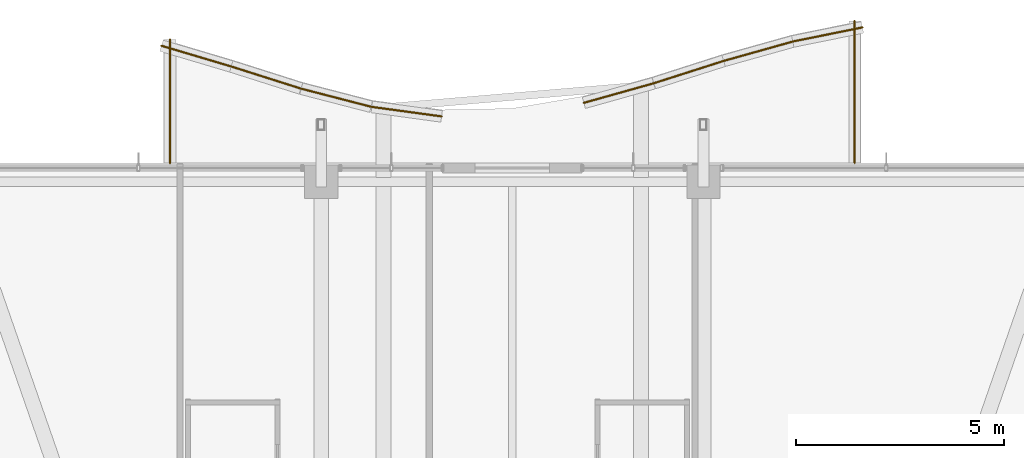
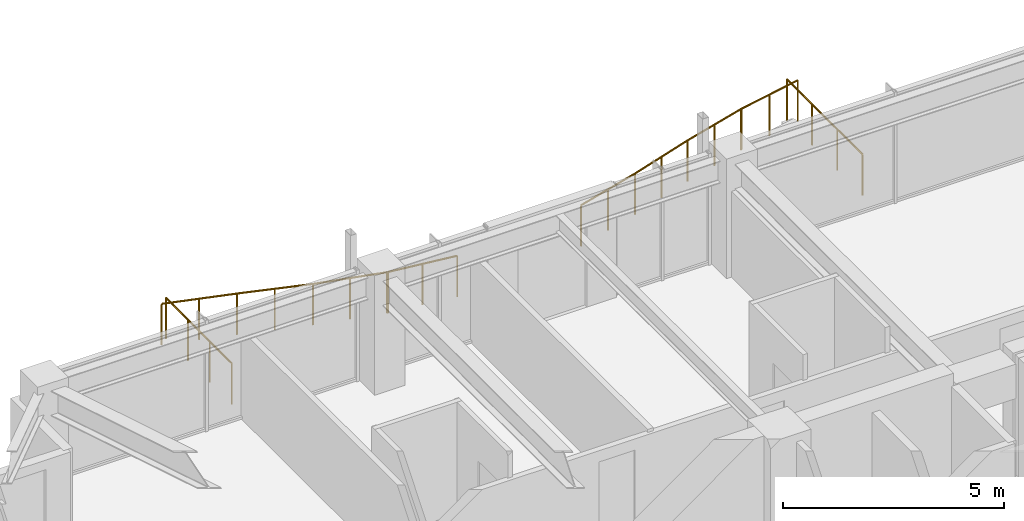
# One storey, part 38 of 38: 10 railings.
"""IFC4 building model written with IfcOpenShell, lengths in metres."""

import ifcopenshell
import ifcopenshell.guid

model = None  # the IFC model being written
_history = None  # IfcOwnerHistory: only IFC2X3 demands one
_inside = {}  # id of a spatial element -> (the spatial element, [elements in it])
_under = {}  # id of a project, library or spatial element -> (it, [spatial elements below it])
_declared = {}  # id of a project -> (the project, [libraries it declares])
_typed = {}  # id of a type object -> (the type object, [elements of that type])
_made_of = {}  # id of a material, layer set ... -> (it, [elements and type objects made of it])


def new_model(schema):
    """Start an empty IFC model of exactly this schema.

    Asked for "IFC4X3", IfcOpenShell would pick the latest addendum, in which some entities
    have other attributes; the version numbers below select the first issue.
    IFC2X3 requires an IfcOwnerHistory on every rooted entity: one is made here for all.
    """
    global model, _history
    if schema == "IFC4X3":
        model = ifcopenshell.file(schema_version=(4, 3, 0, 0))
    else:
        model = ifcopenshell.file(schema=schema)
    _inside.clear()
    _under.clear()
    _declared.clear()
    _typed.clear()
    _made_of.clear()
    _history = None
    if model.schema == "IFC2X3":
        org = make("IfcOrganization", Name="unknown")
        user = make(
            "IfcPersonAndOrganization",
            ThePerson=make("IfcPerson", FamilyName="unknown"),
            TheOrganization=org,
        )
        app = make(
            "IfcApplication",
            ApplicationDeveloper=org,
            Version="unknown",
            ApplicationFullName="unknown",
            ApplicationIdentifier="unknown",
        )
        _history = make(
            "IfcOwnerHistory",
            OwningUser=user,
            OwningApplication=app,
            ChangeAction="ADDED",
            CreationDate=0,
        )
    return model


def make(cls, **values):
    """One entity of the class cls with the attributes given. An attribute that is None is left unset."""
    return model.create_entity(
        cls, **{name: value for name, value in values.items() if value is not None}
    )


def rooted(cls, **values):
    """An entity with a GlobalId (a new one), such as an element, a storey or a relation."""
    return make(cls, GlobalId=ifcopenshell.guid.new(), OwnerHistory=_history, **values)


def si_unit(unit_type, name, prefix=None):
    """IfcSIUnit, for example si_unit("LENGTHUNIT", "METRE", prefix="MILLI")."""
    return make("IfcSIUnit", UnitType=unit_type, Prefix=prefix, Name=name)


def assignment(units):
    """IfcUnitAssignment: the units of a project."""
    return None if units is None else make("IfcUnitAssignment", Units=units)


def point(xyz):
    """IfcCartesianPoint."""
    return None if xyz is None else make("IfcCartesianPoint", Coordinates=xyz)


def direction(xyz):
    """IfcDirection."""
    return None if xyz is None else make("IfcDirection", DirectionRatios=xyz)


def frame(location, z_axis=None, x_axis=None):
    """IfcAxis2Placement3D, a coordinate frame: its origin and axes. An axis left out is left unset."""
    return make(
        "IfcAxis2Placement3D",
        Location=point(location),
        Axis=direction(z_axis),
        RefDirection=direction(x_axis),
    )


def frame_2d(location, x_axis=None):
    """IfcAxis2Placement2D, a coordinate frame in the plane: its origin and x axis."""
    return make(
        "IfcAxis2Placement2D", Location=point(location), RefDirection=direction(x_axis)
    )


def origin():
    """The frame at (0, 0, 0) with its axes left unset."""
    return frame((0.0, 0.0, 0.0))


def origin_2d():
    """The frame at (0, 0) in the plane with its x axis left unset."""
    return frame_2d((0.0, 0.0))


def place(relative_to, where):
    """IfcLocalPlacement: puts the frame where relative to a parent placement (None: the world)."""
    return make(
        "IfcLocalPlacement", PlacementRelTo=relative_to, RelativePlacement=where
    )


def context(
    kind, dimensions, precision=None, world=None, true_north=None, identifier=None
):
    """IfcGeometricRepresentationContext, for example the 3D "Model" context."""
    return make(
        "IfcGeometricRepresentationContext",
        ContextIdentifier=identifier,
        ContextType=kind,
        CoordinateSpaceDimension=dimensions,
        Precision=precision,
        WorldCoordinateSystem=world,
        TrueNorth=true_north,
    )


def subcontext(parent, identifier, kind, view, scale=None):
    """IfcGeometricRepresentationSubContext, for example "Body" below "Model"."""
    return make(
        "IfcGeometricRepresentationSubContext",
        ContextIdentifier=identifier,
        ContextType=kind,
        ParentContext=parent,
        TargetScale=scale,
        TargetView=view,
    )


def project(units=None, contexts=None):
    """IfcProject with its units and contexts."""
    return rooted(
        "IfcProject",
        Name="project",
        RepresentationContexts=contexts,
        UnitsInContext=assignment(units),
    )


def spatial(cls, under=None, at=None, **own):
    """A site, building, storey or space (cls), placed at a placement, below another one or the project."""
    s = rooted(cls, ObjectPlacement=at, **own)
    if under is not None:
        _under.setdefault(under.id(), (under, []))[1].append(s)
    return s


def profile(cls, at=None, kind="AREA", **sizes):
    """A parametric profile (cls). Its sizes go by their IFC names, for example OverallWidth=200.0."""
    return make(cls, ProfileType=kind, Position=at, **sizes)


def circle(**sizes):
    """IfcCircleProfileDef."""
    return profile("IfcCircleProfileDef", **sizes)


def extrude(swept, where, along, depth):
    """IfcExtrudedAreaSolid: the profile swept, set in the frame where, extruded along a direction by depth."""
    return make(
        "IfcExtrudedAreaSolid",
        SweptArea=swept,
        Position=where,
        ExtrudedDirection=direction(along),
        Depth=depth,
    )


def shape(context_of_items, identifier, shape_type, items):
    """IfcShapeRepresentation: the items that make up one representation, for example the "Body"."""
    return make(
        "IfcShapeRepresentation",
        ContextOfItems=context_of_items,
        RepresentationIdentifier=identifier,
        RepresentationType=shape_type,
        Items=items,
    )


def material(Name=None, Category=None):
    """IfcMaterial."""
    return make("IfcMaterial", Name=Name, Category=Category)


def made_of(thing, what):
    """Note that an element or type object is made of a material, layer set ...; save() writes the relation."""
    if what is not None:
        _made_of.setdefault(what.id(), (what, []))[1].append(thing)
    return thing


def type_object(cls, material=None, **own):
    """A type object (cls), such as IfcWallType, which elements share."""
    return made_of(rooted(cls, **own), material)


def element(
    cls,
    number,
    at=None,
    inside=None,
    cuts=None,
    type_object=None,
    material=None,
    context=None,
    identifier="Body",
    shape_type=None,
    held_by="IfcProductDefinitionShape",
    body=None,
    shapes=None,
    **own,
):
    """One element of the class cls, such as IfcWall. Its Tag is "e" and its number.

    at: its placement. inside: the storey or other place that contains it. cuts: it is an
    opening in that element (IfcRelVoidsElement). A single representation is given by context,
    identifier, shape_type and body (its items); several are given by shapes. held_by: the class
    of the entity that holds the representations. save() writes the other relations.
    """
    e = rooted(cls, Tag="e%d" % number, ObjectPlacement=at, **own)
    if body is not None:
        shapes = [shape(context, identifier, shape_type, body)]
    if shapes is not None:
        e.Representation = make(held_by, Representations=shapes)
    if inside is not None:
        _inside.setdefault(inside.id(), (inside, []))[1].append(e)
    if cuts is not None:
        rooted(
            "IfcRelVoidsElement", RelatingBuildingElement=cuts, RelatedOpeningElement=e
        )
    if type_object is not None:
        _typed.setdefault(type_object.id(), (type_object, []))[1].append(e)
    return made_of(e, material)


def aggregate(whole, parts):
    """IfcRelAggregates: a whole, such as a stair, and the parts it consists of."""
    return rooted("IfcRelAggregates", RelatingObject=whole, RelatedObjects=parts)


def save(model, path):
    """Write the relations noted so far, then the file.

    IfcRelAggregates (storeys below a building ...), IfcRelContainedInSpatialStructure (elements
    in a storey), IfcRelDefinesByType, IfcRelAssociatesMaterial and IfcRelDeclares: one each for
    every whole, place, type object, material and project.
    """
    for whole, parts in _under.values():
        aggregate(whole, parts)
    for where, things in _inside.values():
        rooted(
            "IfcRelContainedInSpatialStructure",
            RelatedElements=things,
            RelatingStructure=where,
        )
    for kind, things in _typed.values():
        rooted("IfcRelDefinesByType", RelatedObjects=things, RelatingType=kind)
    for what, things in _made_of.values():
        rooted("IfcRelAssociatesMaterial", RelatedObjects=things, RelatingMaterial=what)
    for by, libraries in _declared.values():
        rooted("IfcRelDeclares", RelatingContext=by, RelatedDefinitions=libraries)
    model.write(path)


model = new_model("IFC4")

# Units and contexts
model_context = context("Model", 3, precision=1e-05, world=origin(), true_north=direction((0.0, 1.0)))
body_context = subcontext(model_context, "Body", "Model", "MODEL_VIEW")
ifc_project = project(units=[si_unit("LENGTHUNIT", "METRE"), si_unit("AREAUNIT", "SQUARE_METRE"), si_unit("VOLUMEUNIT", "CUBIC_METRE"), si_unit("PLANEANGLEUNIT", "RADIAN"), si_unit("MASSUNIT", "GRAM", prefix="KILO")], contexts=[model_context])

# Site, building, storey
site_placement = place(None, origin())
site = spatial("IfcSite", under=ifc_project, at=site_placement, CompositionType="ELEMENT")
building_placement = place(site_placement, origin())
building = spatial("IfcBuilding", under=site, at=building_placement, Name="Kolvaren Belvedere", CompositionType="ELEMENT")
storey_placement = place(building_placement, frame((0.0, 0.0, 213.0)))
storey = spatial("IfcBuildingStorey", under=building, at=storey_placement, Name="L62", CompositionType="ELEMENT", Elevation=213.0)

# Railings
ifc_material = material(Name="Anodised pale-metal aluminium & laminated glass guard", Category="aluminium")
railing_type = type_object("IfcRailingType", Name="RL-GUARD-1150", PredefinedType="GUARDRAIL", material=ifc_material)
railing_1_placement = place(storey_placement, frame((8.239990234375, 20.39990234375, 0.3798828125)))
element("IfcRailing", 1, at=railing_1_placement, inside=storey, type_object=railing_type, Name="L62 Exterior Deck Safety Guard BAL-N-11", PredefinedType="GUARDRAIL", context=body_context, shape_type="SweptSolid", body=[
    extrude(circle(Radius=0.02392578125, at=origin_2d()), frame((0.0, 0.0, 1.1259765625), z_axis=(0.0, 1.0, 0.0), x_axis=(-1.0, 0.0, 0.0)), (0.0, 0.0, 1.0), 3.420166015625),
    extrude(circle(Radius=0.02099609375, at=origin_2d()), origin(), (0.0, 0.0, 1.0), 1.101806640625),
    extrude(circle(Radius=0.02099609375, at=origin_2d()), frame((0.0, 1.14013671875, 0.0)), (0.0, 0.0, 1.0), 1.101806640625),
    extrude(circle(Radius=0.02099609375, at=origin_2d()), frame((0.0, 2.280029296875, 0.0)), (0.0, 0.0, 1.0), 1.101806640625),
    extrude(circle(Radius=0.02099609375, at=origin_2d()), frame((0.0, 3.420166015625, 0.0)), (0.0, 0.0, 1.0), 1.101806640625),
])
railing_2_placement = place(storey_placement, frame((8.431884765625, 23.6630859375, 0.3798828125)))
element("IfcRailing", 2, at=railing_2_placement, inside=storey, type_object=railing_type, Name="L62 Exterior Deck Safety Guard BAL-N-12", PredefinedType="GUARDRAIL", context=body_context, shape_type="SweptSolid", body=[
    extrude(circle(Radius=0.02392578125, at=origin_2d()), frame((0.0, 0.0, 1.1259765625), z_axis=(-0.980067977123, -0.198662427795, 0.0), x_axis=(0.198662427795, -0.980067977123, 0.0)), (0.0, 0.0, 1.0), 1.71435546875),
    extrude(circle(Radius=0.02099609375, at=origin_2d()), origin(), (0.0, 0.0, 1.0), 1.101806640625),
    extrude(circle(Radius=0.02099609375, at=origin_2d()), frame((-0.840087890625, -0.17041015625, 0.0)), (0.0, 0.0, 1.0), 1.101806640625),
    extrude(circle(Radius=0.02099609375, at=origin_2d()), frame((-1.68017578125, -0.340576171875, 0.0)), (0.0, 0.0, 1.0), 1.101806640625),
])
railing_3_placement = place(storey_placement, frame((6.76318359375, 23.3251953125, 0.3798828125)))
element("IfcRailing", 3, at=railing_3_placement, inside=storey, type_object=railing_type, Name="L62 Exterior Deck Safety Guard BAL-N-13", PredefinedType="GUARDRAIL", context=body_context, shape_type="SweptSolid", body=[
    extrude(circle(Radius=0.02392578125, at=origin_2d()), frame((0.0, 0.0, 1.1259765625), z_axis=(-0.962916043401, -0.269801210823, 0.0), x_axis=(0.269801210823, -0.962916043401, 0.0)), (0.0, 0.0, 1.0), 1.74462890625),
    extrude(circle(Radius=0.02099609375, at=origin_2d()), origin(), (0.0, 0.0, 1.0), 1.101806640625),
    extrude(circle(Radius=0.02099609375, at=origin_2d()), frame((-0.83984375, -0.2353515625, 0.0)), (0.0, 0.0, 1.0), 1.101806640625),
    extrude(circle(Radius=0.02099609375, at=origin_2d()), frame((-1.679931640625, -0.470703125, 0.0)), (0.0, 0.0, 1.0), 1.101806640625),
])
railing_4_placement = place(storey_placement, frame((5.088623046875, 22.856201171875, 0.3798828125)))
element("IfcRailing", 4, at=railing_4_placement, inside=storey, type_object=railing_type, Name="L62 Exterior Deck Safety Guard BAL-N-14", PredefinedType="GUARDRAIL", context=body_context, shape_type="SweptSolid", body=[
    extrude(circle(Radius=0.02392578125, at=origin_2d()), frame((0.0, 0.0, 1.1259765625), z_axis=(-0.952501264923, -0.304534629099, 0.0), x_axis=(0.304534629099, -0.952501264923, 0.0)), (0.0, 0.0, 1.0), 1.763671875),
    extrude(circle(Radius=0.02099609375, at=origin_2d()), origin(), (0.0, 0.0, 1.0), 1.101806640625),
    extrude(circle(Radius=0.02099609375, at=origin_2d()), frame((-0.83984375, -0.2685546875, 0.0)), (0.0, 0.0, 1.0), 1.101806640625),
    extrude(circle(Radius=0.02099609375, at=origin_2d()), frame((-1.679931640625, -0.537109375, 0.0)), (0.0, 0.0, 1.0), 1.101806640625),
])
railing_5_placement = place(storey_placement, frame((3.4033203125, 22.3173828125, 0.3798828125)))
element("IfcRailing", 5, at=railing_5_placement, inside=storey, type_object=railing_type, Name="L62 Exterior Deck Safety Guard BAL-N-15", PredefinedType="GUARDRAIL", context=body_context, shape_type="SweptSolid", body=[
    extrude(circle(Radius=0.02392578125, at=origin_2d()), frame((0.0, 0.0, 1.1259765625), z_axis=(-0.962926227834, -0.269764860108, 0.0), x_axis=(0.269764860108, -0.962926227834, 0.0)), (0.0, 0.0, 1.0), 1.744873046875),
    extrude(circle(Radius=0.02099609375, at=origin_2d()), origin(), (0.0, 0.0, 1.0), 1.101806640625),
    extrude(circle(Radius=0.02099609375, at=origin_2d()), frame((-0.840087890625, -0.2353515625, 0.0)), (0.0, 0.0, 1.0), 1.101806640625),
    extrude(circle(Radius=0.02099609375, at=origin_2d()), frame((-1.68017578125, -0.470703125, 0.0)), (0.0, 0.0, 1.0), 1.101806640625),
])
railing_6_placement = place(storey_placement, frame((-1.70166015625, 21.5205078125, 0.3798828125)))
element("IfcRailing", 6, at=railing_6_placement, inside=storey, type_object=railing_type, Name="L62 Exterior Deck Safety Guard BAL-N-18", PredefinedType="GUARDRAIL", context=body_context, shape_type="SweptSolid", body=[
    extrude(circle(Radius=0.02392578125, at=origin_2d()), frame((0.0, 0.0, 1.1259765625), z_axis=(-0.990855562068, 0.134926850989, 0.0), x_axis=(-0.134926850989, -0.990855562068, 0.0)), (0.0, 0.0, 1.0), 1.695556640625),
    extrude(circle(Radius=0.02099609375, at=origin_2d()), origin(), (0.0, 0.0, 1.0), 1.101806640625),
    extrude(circle(Radius=0.02099609375, at=origin_2d()), frame((-0.83984375, 0.1142578125, 0.0)), (0.0, 0.0, 1.0), 1.101806640625),
    extrude(circle(Radius=0.02099609375, at=origin_2d()), frame((-1.679931640625, 0.228759765625, 0.0)), (0.0, 0.0, 1.0), 1.101806640625),
])
railing_7_placement = place(storey_placement, frame((-3.400146484375, 21.7529296875, 0.3798828125)))
element("IfcRailing", 7, at=railing_7_placement, inside=storey, type_object=railing_type, Name="L62 Exterior Deck Safety Guard BAL-N-19", PredefinedType="GUARDRAIL", context=body_context, shape_type="SweptSolid", body=[
    extrude(circle(Radius=0.02392578125, at=origin_2d()), frame((0.0, 0.0, 1.1259765625), z_axis=(-0.968132209145, 0.250439664624, 0.0), x_axis=(-0.250439664624, -0.968132209145, 0.0)), (0.0, 0.0, 1.0), 1.7353515625),
    extrude(circle(Radius=0.02099609375, at=origin_2d()), origin(), (0.0, 0.0, 1.0), 1.101806640625),
    extrude(circle(Radius=0.02099609375, at=origin_2d()), frame((-0.83984375, 0.21728515625, 0.0)), (0.0, 0.0, 1.0), 1.101806640625),
    extrude(circle(Radius=0.02099609375, at=origin_2d()), frame((-1.679931640625, 0.4345703125, 0.0)), (0.0, 0.0, 1.0), 1.101806640625),
])
railing_8_placement = place(storey_placement, frame((-5.08837890625, 22.18994140625, 0.3798828125)))
element("IfcRailing", 8, at=railing_8_placement, inside=storey, type_object=railing_type, Name="L62 Exterior Deck Safety Guard BAL-N-20", PredefinedType="GUARDRAIL", context=body_context, shape_type="SweptSolid", body=[
    extrude(circle(Radius=0.02392578125, at=origin_2d()), frame((0.0, 0.0, 1.1259765625), z_axis=(-0.953181954832, 0.302397356111, 0.0), x_axis=(-0.302397356111, -0.953181954832, 0.0)), (0.0, 0.0, 1.0), 1.762451171875),
    extrude(circle(Radius=0.02099609375, at=origin_2d()), origin(), (0.0, 0.0, 1.0), 1.101806640625),
    extrude(circle(Radius=0.02099609375, at=origin_2d()), frame((-0.83984375, 0.2666015625, 0.0)), (0.0, 0.0, 1.0), 1.101806640625),
    extrude(circle(Radius=0.02099609375, at=origin_2d()), frame((-1.679931640625, 0.532958984375, 0.0)), (0.0, 0.0, 1.0), 1.101806640625),
])
railing_9_placement = place(storey_placement, frame((-6.765625, 22.721923828125, 0.3798828125)))
element("IfcRailing", 9, at=railing_9_placement, inside=storey, type_object=railing_type, Name="L62 Exterior Deck Safety Guard BAL-N-21", PredefinedType="GUARDRAIL", context=body_context, shape_type="SweptSolid", body=[
    extrude(circle(Radius=0.02392578125, at=origin_2d()), frame((0.0, 0.0, 1.1259765625), z_axis=(-0.958525043221, 0.28500831833, 0.0), x_axis=(-0.28500831833, -0.958525043221, 0.0)), (0.0, 0.0, 1.0), 1.752685546875),
    extrude(circle(Radius=0.02099609375, at=origin_2d()), origin(), (0.0, 0.0, 1.0), 1.101806640625),
    extrude(circle(Radius=0.02099609375, at=origin_2d()), frame((-0.83984375, 0.249755859375, 0.0)), (0.0, 0.0, 1.0), 1.101806640625),
    extrude(circle(Radius=0.02099609375, at=origin_2d()), frame((-1.679931640625, 0.49951171875, 0.0)), (0.0, 0.0, 1.0), 1.101806640625),
])
railing_10_placement = place(storey_placement, frame((-8.239990234375, 23.374755859375, 0.3798828125)))
element("IfcRailing", 10, at=railing_10_placement, inside=storey, type_object=railing_type, Name="L62 Exterior Deck Safety Guard BAL-N-22", PredefinedType="GUARDRAIL", context=body_context, shape_type="SweptSolid", body=[
    extrude(circle(Radius=0.02392578125, at=origin_2d()), frame((0.0, 0.0, 1.1259765625), z_axis=(0.0, -1.0, 0.0), x_axis=(1.0, 0.0, 0.0)), (0.0, 0.0, 1.0), 2.974853515625),
    extrude(circle(Radius=0.02099609375, at=origin_2d()), origin(), (0.0, 0.0, 1.0), 1.101806640625),
    extrude(circle(Radius=0.02099609375, at=origin_2d()), frame((0.0, -0.99169921875, 0.0)), (0.0, 0.0, 1.0), 1.101806640625),
    extrude(circle(Radius=0.02099609375, at=origin_2d()), frame((0.0, -1.983154296875, 0.0)), (0.0, 0.0, 1.0), 1.101806640625),
    extrude(circle(Radius=0.02099609375, at=origin_2d()), frame((0.0, -2.974853515625, 0.0)), (0.0, 0.0, 1.0), 1.101806640625),
])

save(model, "model.ifc")
